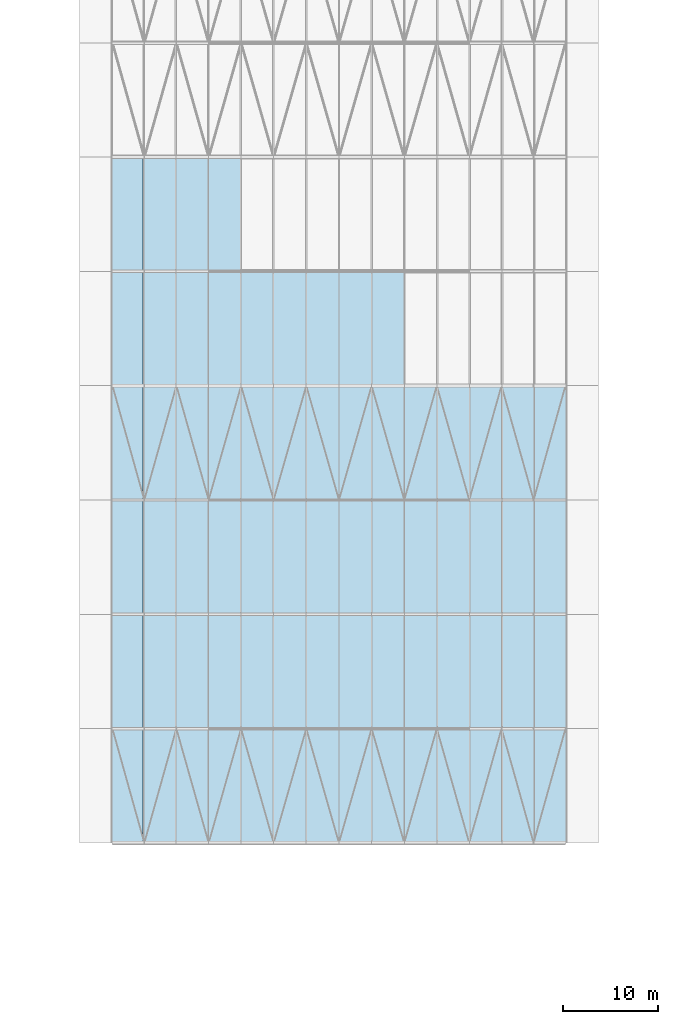
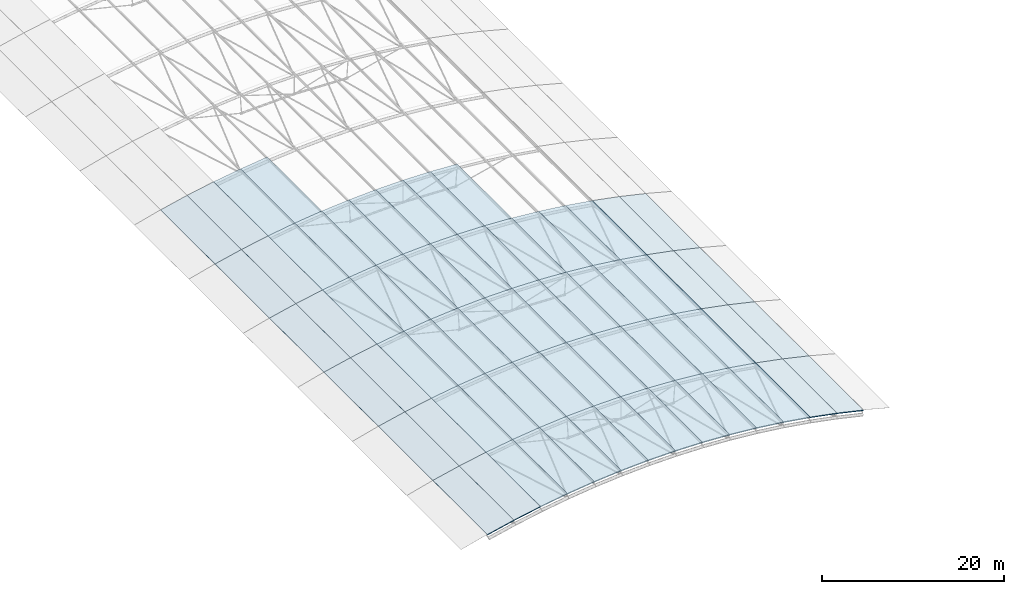
# One storey, part 49 of 91: 69 slabs.
"""IFC4 building model written with IfcOpenShell, lengths in metres."""

from ifc_helpers import new_model, si_unit, direction, frame, origin, place, context, subcontext, project, spatial, polyline, outline, extrude, material, layer, layer_set, type_object, element, save


model = new_model("IFC4")

# Units and contexts
model_context = context("Model", 3, precision=1e-05, world=origin(), true_north=direction((0.0, 1.0)))
body_context = subcontext(model_context, "Body", "Model", "MODEL_VIEW")
ifc_project = project(units=[si_unit("LENGTHUNIT", "METRE"), si_unit("AREAUNIT", "SQUARE_METRE"), si_unit("VOLUMEUNIT", "CUBIC_METRE"), si_unit("PLANEANGLEUNIT", "RADIAN"), si_unit("MASSUNIT", "GRAM", prefix="KILO")], contexts=[model_context])

# Site, building, storey
site_placement = place(None, origin())
site = spatial("IfcSite", under=ifc_project, at=site_placement, CompositionType="ELEMENT")
building_placement = place(site_placement, origin())
building = spatial("IfcBuilding", under=site, at=building_placement, Name="Ravi Spectrum Wholesale Market", CompositionType="ELEMENT")
storey_placement = place(building_placement, frame((0.0, 0.0, 16.199951171875)))
storey = spatial("IfcBuildingStorey", under=building, at=storey_placement, Name="ROOF PLANT LEVEL", CompositionType="ELEMENT", Elevation=16.199951171875)

# Slabs
ifc_material = material(Name="Steel S355", Category="steel")
ifc_layer = layer(ifc_material, 0.1201171875)
ifc_layer_set = layer_set([ifc_layer], Name="Steel S355")
slab_type = type_object("IfcSlabType", Name="Roof panel 120", PredefinedType="ROOF", material=ifc_layer_set)
slab_1_placement = place(storey_placement, frame((46.07958984375, 30.0, 0.691162109375), z_axis=(-0.222349705354, 0.0, 0.974966978174), x_axis=(0.974966978174, 0.0, 0.222349705354)))
element("IfcSlab", 1, at=slab_1_placement, inside=storey, type_object=slab_type, Name="H1-SL-ROOF-001", PredefinedType="ROOF", context=body_context, shape_type="SweptSolid", body=[
    extrude(outline(polyline([(0.0, 0.0), (3.4466311554413664, 0.0), (3.4466311554413664, 12.0), (0.0, 12.0), (0.0, 0.0)])), origin(), (0.0, 0.0, -1.0), 0.1201171875),
])
slab_2_placement = place(storey_placement, frame((49.44384765625, 30.0, 1.458251953125), z_axis=(-0.188631955583, 0.0, 0.982047852873), x_axis=(0.982047852873, 0.0, 0.188631955583)))
element("IfcSlab", 2, at=slab_2_placement, inside=storey, type_object=slab_type, Name="H1-SL-ROOF-002", PredefinedType="ROOF", context=body_context, shape_type="SweptSolid", body=[
    extrude(outline(polyline([(0.0, 0.0), (3.4466402172734556, 0.0), (3.4466402172734556, 12.0), (0.0, 12.0), (0.0, 0.0)])), origin(), (0.0, 0.0, -1.0), 0.1201171875),
])
slab_3_placement = place(storey_placement, frame((52.832763671875, 30.0, 2.109130859375), z_axis=(-0.154627524057, 0.0, 0.98797283809), x_axis=(0.98797283809, 0.0, 0.154627524057)))
element("IfcSlab", 3, at=slab_3_placement, inside=storey, type_object=slab_type, Name="H1-SL-ROOF-003", PredefinedType="ROOF", context=body_context, shape_type="SweptSolid", body=[
    extrude(outline(polyline([(0.0, 0.0), (3.4467277906978815, 0.0), (3.4467277906978815, 12.0), (0.0, 12.0), (0.0, 0.0)])), origin(), (0.0, 0.0, -1.0), 0.1201171875),
])
slab_4_placement = place(storey_placement, frame((56.241943359375, 30.0, 2.642578125), z_axis=(-0.120485786945, 0.0, 0.992715052341), x_axis=(0.992715052341, 0.0, 0.120485786945)))
element("IfcSlab", 4, at=slab_4_placement, inside=storey, type_object=slab_type, Name="H1-SL-ROOF-004", PredefinedType="ROOF", context=body_context, shape_type="SweptSolid", body=[
    extrude(outline(polyline([(0.0, 0.0), (3.446740181189331, 0.0), (3.446740181189331, 12.0), (0.0, 12.0), (0.0, 0.0)])), origin(), (0.0, 0.0, -1.0), 0.1201171875),
])
slab_5_placement = place(storey_placement, frame((59.667724609375, 30.0, 3.05810546875), z_axis=(-0.086134430501, 0.0, 0.996283523844), x_axis=(0.996283523844, 0.0, 0.086134430501)))
element("IfcSlab", 5, at=slab_5_placement, inside=storey, type_object=slab_type, Name="H1-SL-ROOF-005", PredefinedType="ROOF", context=body_context, shape_type="SweptSolid", body=[
    extrude(outline(polyline([(0.0, 0.0), (3.4466472730346154, 0.0), (3.4466472730346154, 12.000000000000004), (0.0, 12.000000000000004), (0.0, 0.0)])), origin(), (0.0, 0.0, -1.0), 0.1201171875),
])
slab_6_placement = place(storey_placement, frame((63.105712890625, 30.0, 3.35546875), z_axis=(-0.051711116626, 0.0, 0.998662085201), x_axis=(0.998662085201, 0.0, 0.051711116626)))
element("IfcSlab", 6, at=slab_6_placement, inside=storey, type_object=slab_type, Name="H1-SL-ROOF-006", PredefinedType="ROOF", context=body_context, shape_type="SweptSolid", body=[
    extrude(outline(polyline([(0.0, 0.0), (3.446505662181547, 0.0), (3.446505662181547, 12.0), (0.0, 12.0), (0.0, 0.0)])), origin(), (0.0, 0.0, -1.0), 0.1201171875),
])
for number, where, z_axis, x_axis, name in (
    (7, (66.5517578125, 30.0, 3.53369140625), (-0.017282768249, 0.0, 0.999850641807), (0.999850641807, 0.0, 0.017282768249), "H1-SL-ROOF-007"),
    (8, (70.001953125, 30.0, 3.59326171875), (0.017282768249, 0.0, 0.999850641807), (0.999850641807, 0.0, -0.017282768249), "H1-SL-ROOF-008"),
):
    element("IfcSlab", number, at=place(storey_placement, frame(where, z_axis=z_axis, x_axis=x_axis)), inside=storey, type_object=slab_type, Name=name, PredefinedType="ROOF", context=body_context, shape_type="SweptSolid", body=[
        extrude(outline(polyline([(0.0, 0.0), (3.446803870898151, 0.0), (3.446803870898151, 12.0), (0.0, 12.0), (0.0, 0.0)])), origin(), (0.0, 0.0, -1.0), 0.1201171875),
    ])
slab_7_placement = place(storey_placement, frame((73.452392578125, 30.0, 3.53369140625), z_axis=(0.051711116626, 0.0, 0.998662085201), x_axis=(0.998662085201, 0.0, -0.051711116626)))
element("IfcSlab", 9, at=slab_7_placement, inside=storey, type_object=slab_type, Name="H1-SL-ROOF-009", PredefinedType="ROOF", context=body_context, shape_type="SweptSolid", body=[
    extrude(outline(polyline([(0.0, 0.0), (3.446505662181547, 0.0), (3.446505662181547, 12.0), (0.0, 12.0), (0.0, 0.0)])), origin(), (0.0, 0.0, -1.0), 0.1201171875),
])
slab_8_placement = place(storey_placement, frame((76.8984375, 30.0, 3.35498046875), z_axis=(0.086134430501, 0.0, 0.996283523844), x_axis=(0.996283523844, 0.0, -0.086134430501)))
element("IfcSlab", 10, at=slab_8_placement, inside=storey, type_object=slab_type, Name="H1-SL-ROOF-010", PredefinedType="ROOF", context=body_context, shape_type="SweptSolid", body=[
    extrude(outline(polyline([(0.0, 0.0), (3.4466472730346154, 0.0), (3.4466472730346154, 12.000000000000004), (0.0, 12.000000000000004), (0.0, 0.0)])), origin(), (0.0, 0.0, -1.0), 0.1201171875),
])
slab_9_placement = place(storey_placement, frame((80.33642578125, 30.0, 3.057861328125), z_axis=(0.120485786945, 0.0, 0.992715052341), x_axis=(0.992715052341, 0.0, -0.120485786945)))
element("IfcSlab", 11, at=slab_9_placement, inside=storey, type_object=slab_type, Name="H1-SL-ROOF-011", PredefinedType="ROOF", context=body_context, shape_type="SweptSolid", body=[
    extrude(outline(polyline([(0.0, 0.0), (3.446740181189331, 0.0), (3.446740181189331, 12.0), (0.0, 12.0), (0.0, 0.0)])), origin(), (0.0, 0.0, -1.0), 0.1201171875),
])
slab_10_placement = place(storey_placement, frame((83.761962890625, 30.0, 2.64208984375), z_axis=(0.154627524057, 0.0, 0.98797283809), x_axis=(0.98797283809, 0.0, -0.154627524057)))
element("IfcSlab", 12, at=slab_10_placement, inside=storey, type_object=slab_type, Name="H1-SL-ROOF-012", PredefinedType="ROOF", context=body_context, shape_type="SweptSolid", body=[
    extrude(outline(polyline([(0.0, 0.0), (3.4467277906978815, 0.0), (3.4467277906978815, 12.0), (0.0, 12.0), (0.0, 0.0)])), origin(), (0.0, 0.0, -1.0), 0.1201171875),
])
slab_11_placement = place(storey_placement, frame((87.17138671875, 30.0, 2.1083984375), z_axis=(0.188631955583, 0.0, 0.982047852873), x_axis=(0.982047852873, 0.0, -0.188631955583)))
element("IfcSlab", 13, at=slab_11_placement, inside=storey, type_object=slab_type, Name="H1-SL-ROOF-013", PredefinedType="ROOF", context=body_context, shape_type="SweptSolid", body=[
    extrude(outline(polyline([(0.0, 0.0), (3.4466402172734556, 0.0), (3.4466402172734556, 12.0), (0.0, 12.0), (0.0, 0.0)])), origin(), (0.0, 0.0, -1.0), 0.1201171875),
])
for number, where, z_axis, x_axis, name in (
    (14, (90.56005859375, 30.0, 1.45751953125), (0.222349705354, 0.0, 0.974966978174), (0.974966978174, 0.0, -0.222349705354), "H1-SL-ROOF-014"),
    (15, (46.07958984375, 42.0, 0.691162109375), (-0.222349705354, 0.0, 0.974966978174), (0.974966978174, 0.0, 0.222349705354), "H1-SL-ROOF-015"),
):
    element("IfcSlab", number, at=place(storey_placement, frame(where, z_axis=z_axis, x_axis=x_axis)), inside=storey, type_object=slab_type, Name=name, PredefinedType="ROOF", context=body_context, shape_type="SweptSolid", body=[
        extrude(outline(polyline([(0.0, 0.0), (3.4466311554413664, 0.0), (3.4466311554413664, 12.0), (0.0, 12.0), (0.0, 0.0)])), origin(), (0.0, 0.0, -1.0), 0.1201171875),
    ])
slab_12_placement = place(storey_placement, frame((49.44384765625, 42.0, 1.458251953125), z_axis=(-0.188631955583, 0.0, 0.982047852873), x_axis=(0.982047852873, 0.0, 0.188631955583)))
element("IfcSlab", 16, at=slab_12_placement, inside=storey, type_object=slab_type, Name="H1-SL-ROOF-016", PredefinedType="ROOF", context=body_context, shape_type="SweptSolid", body=[
    extrude(outline(polyline([(0.0, 0.0), (3.4466402172734556, 0.0), (3.4466402172734556, 12.0), (0.0, 12.0), (0.0, 0.0)])), origin(), (0.0, 0.0, -1.0), 0.1201171875),
])
slab_13_placement = place(storey_placement, frame((52.832763671875, 42.0, 2.109130859375), z_axis=(-0.154627524057, 0.0, 0.98797283809), x_axis=(0.98797283809, 0.0, 0.154627524057)))
element("IfcSlab", 17, at=slab_13_placement, inside=storey, type_object=slab_type, Name="H1-SL-ROOF-017", PredefinedType="ROOF", context=body_context, shape_type="SweptSolid", body=[
    extrude(outline(polyline([(0.0, 0.0), (3.4467277906978815, 0.0), (3.4467277906978815, 12.0), (0.0, 12.0), (0.0, 0.0)])), origin(), (0.0, 0.0, -1.0), 0.1201171875),
])
slab_14_placement = place(storey_placement, frame((56.241943359375, 42.0, 2.642578125), z_axis=(-0.120485786945, 0.0, 0.992715052341), x_axis=(0.992715052341, 0.0, 0.120485786945)))
element("IfcSlab", 18, at=slab_14_placement, inside=storey, type_object=slab_type, Name="H1-SL-ROOF-018", PredefinedType="ROOF", context=body_context, shape_type="SweptSolid", body=[
    extrude(outline(polyline([(0.0, 0.0), (3.446740181189331, 0.0), (3.446740181189331, 12.0), (0.0, 12.0), (0.0, 0.0)])), origin(), (0.0, 0.0, -1.0), 0.1201171875),
])
slab_15_placement = place(storey_placement, frame((59.667724609375, 42.0, 3.05810546875), z_axis=(-0.086134430501, 0.0, 0.996283523844), x_axis=(0.996283523844, 0.0, 0.086134430501)))
element("IfcSlab", 19, at=slab_15_placement, inside=storey, type_object=slab_type, Name="H1-SL-ROOF-019", PredefinedType="ROOF", context=body_context, shape_type="SweptSolid", body=[
    extrude(outline(polyline([(0.0, 0.0), (3.4466472730346154, 0.0), (3.4466472730346154, 12.000000000000004), (0.0, 12.000000000000004), (0.0, 0.0)])), origin(), (0.0, 0.0, -1.0), 0.1201171875),
])
slab_16_placement = place(storey_placement, frame((63.105712890625, 42.0, 3.35546875), z_axis=(-0.051711116626, 0.0, 0.998662085201), x_axis=(0.998662085201, 0.0, 0.051711116626)))
element("IfcSlab", 20, at=slab_16_placement, inside=storey, type_object=slab_type, Name="H1-SL-ROOF-020", PredefinedType="ROOF", context=body_context, shape_type="SweptSolid", body=[
    extrude(outline(polyline([(0.0, 0.0), (3.446505662181547, 0.0), (3.446505662181547, 12.0), (0.0, 12.0), (0.0, 0.0)])), origin(), (0.0, 0.0, -1.0), 0.1201171875),
])
for number, where, z_axis, x_axis, name in (
    (21, (66.5517578125, 42.0, 3.53369140625), (-0.017282768249, 0.0, 0.999850641807), (0.999850641807, 0.0, 0.017282768249), "H1-SL-ROOF-021"),
    (22, (70.001953125, 42.0, 3.59326171875), (0.017282768249, 0.0, 0.999850641807), (0.999850641807, 0.0, -0.017282768249), "H1-SL-ROOF-022"),
):
    element("IfcSlab", number, at=place(storey_placement, frame(where, z_axis=z_axis, x_axis=x_axis)), inside=storey, type_object=slab_type, Name=name, PredefinedType="ROOF", context=body_context, shape_type="SweptSolid", body=[
        extrude(outline(polyline([(0.0, 0.0), (3.446803870898151, 0.0), (3.446803870898151, 12.0), (0.0, 12.0), (0.0, 0.0)])), origin(), (0.0, 0.0, -1.0), 0.1201171875),
    ])
slab_17_placement = place(storey_placement, frame((73.452392578125, 42.0, 3.53369140625), z_axis=(0.051711116626, 0.0, 0.998662085201), x_axis=(0.998662085201, 0.0, -0.051711116626)))
element("IfcSlab", 23, at=slab_17_placement, inside=storey, type_object=slab_type, Name="H1-SL-ROOF-023", PredefinedType="ROOF", context=body_context, shape_type="SweptSolid", body=[
    extrude(outline(polyline([(0.0, 0.0), (3.446505662181547, 0.0), (3.446505662181547, 12.0), (0.0, 12.0), (0.0, 0.0)])), origin(), (0.0, 0.0, -1.0), 0.1201171875),
])
slab_18_placement = place(storey_placement, frame((76.8984375, 42.0, 3.35498046875), z_axis=(0.086134430501, 0.0, 0.996283523844), x_axis=(0.996283523844, 0.0, -0.086134430501)))
element("IfcSlab", 24, at=slab_18_placement, inside=storey, type_object=slab_type, Name="H1-SL-ROOF-024", PredefinedType="ROOF", context=body_context, shape_type="SweptSolid", body=[
    extrude(outline(polyline([(0.0, 0.0), (3.4466472730346154, 0.0), (3.4466472730346154, 12.000000000000004), (0.0, 12.000000000000004), (0.0, 0.0)])), origin(), (0.0, 0.0, -1.0), 0.1201171875),
])
slab_19_placement = place(storey_placement, frame((80.33642578125, 42.0, 3.057861328125), z_axis=(0.120485786945, 0.0, 0.992715052341), x_axis=(0.992715052341, 0.0, -0.120485786945)))
element("IfcSlab", 25, at=slab_19_placement, inside=storey, type_object=slab_type, Name="H1-SL-ROOF-025", PredefinedType="ROOF", context=body_context, shape_type="SweptSolid", body=[
    extrude(outline(polyline([(0.0, 0.0), (3.446740181189331, 0.0), (3.446740181189331, 12.0), (0.0, 12.0), (0.0, 0.0)])), origin(), (0.0, 0.0, -1.0), 0.1201171875),
])
slab_20_placement = place(storey_placement, frame((83.761962890625, 42.0, 2.64208984375), z_axis=(0.154627524057, 0.0, 0.98797283809), x_axis=(0.98797283809, 0.0, -0.154627524057)))
element("IfcSlab", 26, at=slab_20_placement, inside=storey, type_object=slab_type, Name="H1-SL-ROOF-026", PredefinedType="ROOF", context=body_context, shape_type="SweptSolid", body=[
    extrude(outline(polyline([(0.0, 0.0), (3.4467277906978815, 0.0), (3.4467277906978815, 12.0), (0.0, 12.0), (0.0, 0.0)])), origin(), (0.0, 0.0, -1.0), 0.1201171875),
])
slab_21_placement = place(storey_placement, frame((87.17138671875, 42.0, 2.1083984375), z_axis=(0.188631955583, 0.0, 0.982047852873), x_axis=(0.982047852873, 0.0, -0.188631955583)))
element("IfcSlab", 27, at=slab_21_placement, inside=storey, type_object=slab_type, Name="H1-SL-ROOF-027", PredefinedType="ROOF", context=body_context, shape_type="SweptSolid", body=[
    extrude(outline(polyline([(0.0, 0.0), (3.4466402172734556, 0.0), (3.4466402172734556, 12.0), (0.0, 12.0), (0.0, 0.0)])), origin(), (0.0, 0.0, -1.0), 0.1201171875),
])
for number, where, z_axis, x_axis, name in (
    (28, (90.56005859375, 42.0, 1.45751953125), (0.222349705354, 0.0, 0.974966978174), (0.974966978174, 0.0, -0.222349705354), "H1-SL-ROOF-028"),
    (29, (46.07958984375, 54.0, 0.691162109375), (-0.222349705354, 0.0, 0.974966978174), (0.974966978174, 0.0, 0.222349705354), "H1-SL-ROOF-029"),
):
    element("IfcSlab", number, at=place(storey_placement, frame(where, z_axis=z_axis, x_axis=x_axis)), inside=storey, type_object=slab_type, Name=name, PredefinedType="ROOF", context=body_context, shape_type="SweptSolid", body=[
        extrude(outline(polyline([(0.0, 0.0), (3.4466311554413664, 0.0), (3.4466311554413664, 12.0), (0.0, 12.0), (0.0, 0.0)])), origin(), (0.0, 0.0, -1.0), 0.1201171875),
    ])
slab_22_placement = place(storey_placement, frame((49.44384765625, 54.0, 1.458251953125), z_axis=(-0.188631955583, 0.0, 0.982047852873), x_axis=(0.982047852873, 0.0, 0.188631955583)))
element("IfcSlab", 30, at=slab_22_placement, inside=storey, type_object=slab_type, Name="H1-SL-ROOF-030", PredefinedType="ROOF", context=body_context, shape_type="SweptSolid", body=[
    extrude(outline(polyline([(0.0, 0.0), (3.4466402172734556, 0.0), (3.4466402172734556, 12.0), (0.0, 12.0), (0.0, 0.0)])), origin(), (0.0, 0.0, -1.0), 0.1201171875),
])
slab_23_placement = place(storey_placement, frame((52.832763671875, 54.0, 2.109130859375), z_axis=(-0.154627524057, 0.0, 0.98797283809), x_axis=(0.98797283809, 0.0, 0.154627524057)))
element("IfcSlab", 31, at=slab_23_placement, inside=storey, type_object=slab_type, Name="H1-SL-ROOF-031", PredefinedType="ROOF", context=body_context, shape_type="SweptSolid", body=[
    extrude(outline(polyline([(0.0, 0.0), (3.4467277906978815, 0.0), (3.4467277906978815, 12.0), (0.0, 12.0), (0.0, 0.0)])), origin(), (0.0, 0.0, -1.0), 0.1201171875),
])
slab_24_placement = place(storey_placement, frame((56.241943359375, 54.0, 2.642578125), z_axis=(-0.120485786945, 0.0, 0.992715052341), x_axis=(0.992715052341, 0.0, 0.120485786945)))
element("IfcSlab", 32, at=slab_24_placement, inside=storey, type_object=slab_type, Name="H1-SL-ROOF-032", PredefinedType="ROOF", context=body_context, shape_type="SweptSolid", body=[
    extrude(outline(polyline([(0.0, 0.0), (3.446740181189331, 0.0), (3.446740181189331, 12.0), (0.0, 12.0), (0.0, 0.0)])), origin(), (0.0, 0.0, -1.0), 0.1201171875),
])
slab_25_placement = place(storey_placement, frame((59.667724609375, 54.0, 3.05810546875), z_axis=(-0.086134430501, 0.0, 0.996283523844), x_axis=(0.996283523844, 0.0, 0.086134430501)))
element("IfcSlab", 33, at=slab_25_placement, inside=storey, type_object=slab_type, Name="H1-SL-ROOF-033", PredefinedType="ROOF", context=body_context, shape_type="SweptSolid", body=[
    extrude(outline(polyline([(0.0, 0.0), (3.4466472730346154, 0.0), (3.4466472730346154, 12.000000000000004), (0.0, 12.000000000000004), (0.0, 0.0)])), origin(), (0.0, 0.0, -1.0), 0.1201171875),
])
slab_26_placement = place(storey_placement, frame((63.105712890625, 54.0, 3.35546875), z_axis=(-0.051711116626, 0.0, 0.998662085201), x_axis=(0.998662085201, 0.0, 0.051711116626)))
element("IfcSlab", 34, at=slab_26_placement, inside=storey, type_object=slab_type, Name="H1-SL-ROOF-034", PredefinedType="ROOF", context=body_context, shape_type="SweptSolid", body=[
    extrude(outline(polyline([(0.0, 0.0), (3.446505662181547, 0.0), (3.446505662181547, 12.0), (0.0, 12.0), (0.0, 0.0)])), origin(), (0.0, 0.0, -1.0), 0.1201171875),
])
for number, where, z_axis, x_axis, name in (
    (35, (66.5517578125, 54.0, 3.53369140625), (-0.017282768249, 0.0, 0.999850641807), (0.999850641807, 0.0, 0.017282768249), "H1-SL-ROOF-035"),
    (36, (70.001953125, 54.0, 3.59326171875), (0.017282768249, 0.0, 0.999850641807), (0.999850641807, 0.0, -0.017282768249), "H1-SL-ROOF-036"),
):
    element("IfcSlab", number, at=place(storey_placement, frame(where, z_axis=z_axis, x_axis=x_axis)), inside=storey, type_object=slab_type, Name=name, PredefinedType="ROOF", context=body_context, shape_type="SweptSolid", body=[
        extrude(outline(polyline([(0.0, 0.0), (3.446803870898151, 0.0), (3.446803870898151, 12.0), (0.0, 12.0), (0.0, 0.0)])), origin(), (0.0, 0.0, -1.0), 0.1201171875),
    ])
slab_27_placement = place(storey_placement, frame((73.452392578125, 54.0, 3.53369140625), z_axis=(0.051711116626, 0.0, 0.998662085201), x_axis=(0.998662085201, 0.0, -0.051711116626)))
element("IfcSlab", 37, at=slab_27_placement, inside=storey, type_object=slab_type, Name="H1-SL-ROOF-037", PredefinedType="ROOF", context=body_context, shape_type="SweptSolid", body=[
    extrude(outline(polyline([(0.0, 0.0), (3.446505662181547, 0.0), (3.446505662181547, 12.0), (0.0, 12.0), (0.0, 0.0)])), origin(), (0.0, 0.0, -1.0), 0.1201171875),
])
slab_28_placement = place(storey_placement, frame((76.8984375, 54.0, 3.35498046875), z_axis=(0.086134430501, 0.0, 0.996283523844), x_axis=(0.996283523844, 0.0, -0.086134430501)))
element("IfcSlab", 38, at=slab_28_placement, inside=storey, type_object=slab_type, Name="H1-SL-ROOF-038", PredefinedType="ROOF", context=body_context, shape_type="SweptSolid", body=[
    extrude(outline(polyline([(0.0, 0.0), (3.4466472730346154, 0.0), (3.4466472730346154, 12.000000000000004), (0.0, 12.000000000000004), (0.0, 0.0)])), origin(), (0.0, 0.0, -1.0), 0.1201171875),
])
slab_29_placement = place(storey_placement, frame((80.33642578125, 54.0, 3.057861328125), z_axis=(0.120485786945, 0.0, 0.992715052341), x_axis=(0.992715052341, 0.0, -0.120485786945)))
element("IfcSlab", 39, at=slab_29_placement, inside=storey, type_object=slab_type, Name="H1-SL-ROOF-039", PredefinedType="ROOF", context=body_context, shape_type="SweptSolid", body=[
    extrude(outline(polyline([(0.0, 0.0), (3.446740181189331, 0.0), (3.446740181189331, 12.0), (0.0, 12.0), (0.0, 0.0)])), origin(), (0.0, 0.0, -1.0), 0.1201171875),
])
slab_30_placement = place(storey_placement, frame((83.761962890625, 54.0, 2.64208984375), z_axis=(0.154627524057, 0.0, 0.98797283809), x_axis=(0.98797283809, 0.0, -0.154627524057)))
element("IfcSlab", 40, at=slab_30_placement, inside=storey, type_object=slab_type, Name="H1-SL-ROOF-040", PredefinedType="ROOF", context=body_context, shape_type="SweptSolid", body=[
    extrude(outline(polyline([(0.0, 0.0), (3.4467277906978815, 0.0), (3.4467277906978815, 12.0), (0.0, 12.0), (0.0, 0.0)])), origin(), (0.0, 0.0, -1.0), 0.1201171875),
])
slab_31_placement = place(storey_placement, frame((87.17138671875, 54.0, 2.1083984375), z_axis=(0.188631955583, 0.0, 0.982047852873), x_axis=(0.982047852873, 0.0, -0.188631955583)))
element("IfcSlab", 41, at=slab_31_placement, inside=storey, type_object=slab_type, Name="H1-SL-ROOF-041", PredefinedType="ROOF", context=body_context, shape_type="SweptSolid", body=[
    extrude(outline(polyline([(0.0, 0.0), (3.4466402172734556, 0.0), (3.4466402172734556, 12.0), (0.0, 12.0), (0.0, 0.0)])), origin(), (0.0, 0.0, -1.0), 0.1201171875),
])
for number, where, z_axis, x_axis, name in (
    (42, (90.56005859375, 54.0, 1.45751953125), (0.222349705354, 0.0, 0.974966978174), (0.974966978174, 0.0, -0.222349705354), "H1-SL-ROOF-042"),
    (43, (46.07958984375, 66.0, 0.691162109375), (-0.222349705354, 0.0, 0.974966978174), (0.974966978174, 0.0, 0.222349705354), "H1-SL-ROOF-043"),
):
    element("IfcSlab", number, at=place(storey_placement, frame(where, z_axis=z_axis, x_axis=x_axis)), inside=storey, type_object=slab_type, Name=name, PredefinedType="ROOF", context=body_context, shape_type="SweptSolid", body=[
        extrude(outline(polyline([(0.0, 0.0), (3.4466311554413664, 0.0), (3.4466311554413664, 12.0), (0.0, 12.0), (0.0, 0.0)])), origin(), (0.0, 0.0, -1.0), 0.1201171875),
    ])
slab_32_placement = place(storey_placement, frame((49.44384765625, 66.0, 1.458251953125), z_axis=(-0.188631955583, 0.0, 0.982047852873), x_axis=(0.982047852873, 0.0, 0.188631955583)))
element("IfcSlab", 44, at=slab_32_placement, inside=storey, type_object=slab_type, Name="H1-SL-ROOF-044", PredefinedType="ROOF", context=body_context, shape_type="SweptSolid", body=[
    extrude(outline(polyline([(0.0, 0.0), (3.4466402172734556, 0.0), (3.4466402172734556, 12.0), (0.0, 12.0), (0.0, 0.0)])), origin(), (0.0, 0.0, -1.0), 0.1201171875),
])
slab_33_placement = place(storey_placement, frame((52.832763671875, 66.0, 2.109130859375), z_axis=(-0.154627524057, 0.0, 0.98797283809), x_axis=(0.98797283809, 0.0, 0.154627524057)))
element("IfcSlab", 45, at=slab_33_placement, inside=storey, type_object=slab_type, Name="H1-SL-ROOF-045", PredefinedType="ROOF", context=body_context, shape_type="SweptSolid", body=[
    extrude(outline(polyline([(0.0, 0.0), (3.4467277906978815, 0.0), (3.4467277906978815, 12.0), (0.0, 12.0), (0.0, 0.0)])), origin(), (0.0, 0.0, -1.0), 0.1201171875),
])
slab_34_placement = place(storey_placement, frame((56.241943359375, 66.0, 2.642578125), z_axis=(-0.120485786945, 0.0, 0.992715052341), x_axis=(0.992715052341, 0.0, 0.120485786945)))
element("IfcSlab", 46, at=slab_34_placement, inside=storey, type_object=slab_type, Name="H1-SL-ROOF-046", PredefinedType="ROOF", context=body_context, shape_type="SweptSolid", body=[
    extrude(outline(polyline([(0.0, 0.0), (3.446740181189331, 0.0), (3.446740181189331, 12.0), (0.0, 12.0), (0.0, 0.0)])), origin(), (0.0, 0.0, -1.0), 0.1201171875),
])
slab_35_placement = place(storey_placement, frame((59.667724609375, 66.0, 3.05810546875), z_axis=(-0.086134430501, 0.0, 0.996283523844), x_axis=(0.996283523844, 0.0, 0.086134430501)))
element("IfcSlab", 47, at=slab_35_placement, inside=storey, type_object=slab_type, Name="H1-SL-ROOF-047", PredefinedType="ROOF", context=body_context, shape_type="SweptSolid", body=[
    extrude(outline(polyline([(0.0, 0.0), (3.4466472730346154, 0.0), (3.4466472730346154, 12.000000000000004), (0.0, 12.000000000000004), (0.0, 0.0)])), origin(), (0.0, 0.0, -1.0), 0.1201171875),
])
slab_36_placement = place(storey_placement, frame((63.105712890625, 66.0, 3.35546875), z_axis=(-0.051711116626, 0.0, 0.998662085201), x_axis=(0.998662085201, 0.0, 0.051711116626)))
element("IfcSlab", 48, at=slab_36_placement, inside=storey, type_object=slab_type, Name="H1-SL-ROOF-048", PredefinedType="ROOF", context=body_context, shape_type="SweptSolid", body=[
    extrude(outline(polyline([(0.0, 0.0), (3.446505662181547, 0.0), (3.446505662181547, 12.0), (0.0, 12.0), (0.0, 0.0)])), origin(), (0.0, 0.0, -1.0), 0.1201171875),
])
for number, where, z_axis, x_axis, name in (
    (49, (66.5517578125, 66.0, 3.53369140625), (-0.017282768249, 0.0, 0.999850641807), (0.999850641807, 0.0, 0.017282768249), "H1-SL-ROOF-049"),
    (50, (70.001953125, 66.0, 3.59326171875), (0.017282768249, 0.0, 0.999850641807), (0.999850641807, 0.0, -0.017282768249), "H1-SL-ROOF-050"),
):
    element("IfcSlab", number, at=place(storey_placement, frame(where, z_axis=z_axis, x_axis=x_axis)), inside=storey, type_object=slab_type, Name=name, PredefinedType="ROOF", context=body_context, shape_type="SweptSolid", body=[
        extrude(outline(polyline([(0.0, 0.0), (3.446803870898151, 0.0), (3.446803870898151, 12.0), (0.0, 12.0), (0.0, 0.0)])), origin(), (0.0, 0.0, -1.0), 0.1201171875),
    ])
slab_37_placement = place(storey_placement, frame((73.452392578125, 66.0, 3.53369140625), z_axis=(0.051711116626, 0.0, 0.998662085201), x_axis=(0.998662085201, 0.0, -0.051711116626)))
element("IfcSlab", 51, at=slab_37_placement, inside=storey, type_object=slab_type, Name="H1-SL-ROOF-051", PredefinedType="ROOF", context=body_context, shape_type="SweptSolid", body=[
    extrude(outline(polyline([(0.0, 0.0), (3.446505662181547, 0.0), (3.446505662181547, 12.0), (0.0, 12.0), (0.0, 0.0)])), origin(), (0.0, 0.0, -1.0), 0.1201171875),
])
slab_38_placement = place(storey_placement, frame((76.8984375, 66.0, 3.35498046875), z_axis=(0.086134430501, 0.0, 0.996283523844), x_axis=(0.996283523844, 0.0, -0.086134430501)))
element("IfcSlab", 52, at=slab_38_placement, inside=storey, type_object=slab_type, Name="H1-SL-ROOF-052", PredefinedType="ROOF", context=body_context, shape_type="SweptSolid", body=[
    extrude(outline(polyline([(0.0, 0.0), (3.4466472730346154, 0.0), (3.4466472730346154, 12.000000000000004), (0.0, 12.000000000000004), (0.0, 0.0)])), origin(), (0.0, 0.0, -1.0), 0.1201171875),
])
slab_39_placement = place(storey_placement, frame((80.33642578125, 66.0, 3.057861328125), z_axis=(0.120485786945, 0.0, 0.992715052341), x_axis=(0.992715052341, 0.0, -0.120485786945)))
element("IfcSlab", 53, at=slab_39_placement, inside=storey, type_object=slab_type, Name="H1-SL-ROOF-053", PredefinedType="ROOF", context=body_context, shape_type="SweptSolid", body=[
    extrude(outline(polyline([(0.0, 0.0), (3.446740181189331, 0.0), (3.446740181189331, 12.0), (0.0, 12.0), (0.0, 0.0)])), origin(), (0.0, 0.0, -1.0), 0.1201171875),
])
slab_40_placement = place(storey_placement, frame((83.761962890625, 66.0, 2.64208984375), z_axis=(0.154627524057, 0.0, 0.98797283809), x_axis=(0.98797283809, 0.0, -0.154627524057)))
element("IfcSlab", 54, at=slab_40_placement, inside=storey, type_object=slab_type, Name="H1-SL-ROOF-054", PredefinedType="ROOF", context=body_context, shape_type="SweptSolid", body=[
    extrude(outline(polyline([(0.0, 0.0), (3.4467277906978815, 0.0), (3.4467277906978815, 12.0), (0.0, 12.0), (0.0, 0.0)])), origin(), (0.0, 0.0, -1.0), 0.1201171875),
])
slab_41_placement = place(storey_placement, frame((87.17138671875, 66.0, 2.1083984375), z_axis=(0.188631955583, 0.0, 0.982047852873), x_axis=(0.982047852873, 0.0, -0.188631955583)))
element("IfcSlab", 55, at=slab_41_placement, inside=storey, type_object=slab_type, Name="H1-SL-ROOF-055", PredefinedType="ROOF", context=body_context, shape_type="SweptSolid", body=[
    extrude(outline(polyline([(0.0, 0.0), (3.4466402172734556, 0.0), (3.4466402172734556, 12.0), (0.0, 12.0), (0.0, 0.0)])), origin(), (0.0, 0.0, -1.0), 0.1201171875),
])
for number, where, z_axis, x_axis, name in (
    (56, (90.56005859375, 66.0, 1.45751953125), (0.222349705354, 0.0, 0.974966978174), (0.974966978174, 0.0, -0.222349705354), "H1-SL-ROOF-056"),
    (57, (46.07958984375, 78.0, 0.691162109375), (-0.222349705354, 0.0, 0.974966978174), (0.974966978174, 0.0, 0.222349705354), "H1-SL-ROOF-057"),
):
    element("IfcSlab", number, at=place(storey_placement, frame(where, z_axis=z_axis, x_axis=x_axis)), inside=storey, type_object=slab_type, Name=name, PredefinedType="ROOF", context=body_context, shape_type="SweptSolid", body=[
        extrude(outline(polyline([(0.0, 0.0), (3.4466311554413664, 0.0), (3.4466311554413664, 12.0), (0.0, 12.0), (0.0, 0.0)])), origin(), (0.0, 0.0, -1.0), 0.1201171875),
    ])
slab_42_placement = place(storey_placement, frame((49.44384765625, 78.0, 1.458251953125), z_axis=(-0.188631955583, 0.0, 0.982047852873), x_axis=(0.982047852873, 0.0, 0.188631955583)))
element("IfcSlab", 58, at=slab_42_placement, inside=storey, type_object=slab_type, Name="H1-SL-ROOF-058", PredefinedType="ROOF", context=body_context, shape_type="SweptSolid", body=[
    extrude(outline(polyline([(0.0, 0.0), (3.4466402172734556, 0.0), (3.4466402172734556, 12.0), (0.0, 12.0), (0.0, 0.0)])), origin(), (0.0, 0.0, -1.0), 0.1201171875),
])
slab_43_placement = place(storey_placement, frame((52.832763671875, 78.0, 2.109130859375), z_axis=(-0.154627524057, 0.0, 0.98797283809), x_axis=(0.98797283809, 0.0, 0.154627524057)))
element("IfcSlab", 59, at=slab_43_placement, inside=storey, type_object=slab_type, Name="H1-SL-ROOF-059", PredefinedType="ROOF", context=body_context, shape_type="SweptSolid", body=[
    extrude(outline(polyline([(0.0, 0.0), (3.4467277906978815, 0.0), (3.4467277906978815, 12.0), (0.0, 12.0), (0.0, 0.0)])), origin(), (0.0, 0.0, -1.0), 0.1201171875),
])
slab_44_placement = place(storey_placement, frame((56.241943359375, 78.0, 2.642578125), z_axis=(-0.120485786945, 0.0, 0.992715052341), x_axis=(0.992715052341, 0.0, 0.120485786945)))
element("IfcSlab", 60, at=slab_44_placement, inside=storey, type_object=slab_type, Name="H1-SL-ROOF-060", PredefinedType="ROOF", context=body_context, shape_type="SweptSolid", body=[
    extrude(outline(polyline([(0.0, 0.0), (3.446740181189331, 0.0), (3.446740181189331, 12.0), (0.0, 12.0), (0.0, 0.0)])), origin(), (0.0, 0.0, -1.0), 0.1201171875),
])
slab_45_placement = place(storey_placement, frame((59.667724609375, 78.0, 3.05810546875), z_axis=(-0.086134430501, 0.0, 0.996283523844), x_axis=(0.996283523844, 0.0, 0.086134430501)))
element("IfcSlab", 61, at=slab_45_placement, inside=storey, type_object=slab_type, Name="H1-SL-ROOF-061", PredefinedType="ROOF", context=body_context, shape_type="SweptSolid", body=[
    extrude(outline(polyline([(0.0, 0.0), (3.4466472730346154, 0.0), (3.4466472730346154, 12.000000000000004), (0.0, 12.000000000000004), (0.0, 0.0)])), origin(), (0.0, 0.0, -1.0), 0.1201171875),
])
slab_46_placement = place(storey_placement, frame((63.105712890625, 78.0, 3.35546875), z_axis=(-0.051711116626, 0.0, 0.998662085201), x_axis=(0.998662085201, 0.0, 0.051711116626)))
element("IfcSlab", 62, at=slab_46_placement, inside=storey, type_object=slab_type, Name="H1-SL-ROOF-062", PredefinedType="ROOF", context=body_context, shape_type="SweptSolid", body=[
    extrude(outline(polyline([(0.0, 0.0), (3.446505662181547, 0.0), (3.446505662181547, 12.0), (0.0, 12.0), (0.0, 0.0)])), origin(), (0.0, 0.0, -1.0), 0.1201171875),
])
for number, where, z_axis, x_axis, name in (
    (63, (66.5517578125, 78.0, 3.53369140625), (-0.017282768249, 0.0, 0.999850641807), (0.999850641807, 0.0, 0.017282768249), "H1-SL-ROOF-063"),
    (64, (70.001953125, 78.0, 3.59326171875), (0.017282768249, 0.0, 0.999850641807), (0.999850641807, 0.0, -0.017282768249), "H1-SL-ROOF-064"),
):
    element("IfcSlab", number, at=place(storey_placement, frame(where, z_axis=z_axis, x_axis=x_axis)), inside=storey, type_object=slab_type, Name=name, PredefinedType="ROOF", context=body_context, shape_type="SweptSolid", body=[
        extrude(outline(polyline([(0.0, 0.0), (3.446803870898151, 0.0), (3.446803870898151, 12.0), (0.0, 12.0), (0.0, 0.0)])), origin(), (0.0, 0.0, -1.0), 0.1201171875),
    ])
slab_47_placement = place(storey_placement, frame((73.452392578125, 78.0, 3.53369140625), z_axis=(0.051711116626, 0.0, 0.998662085201), x_axis=(0.998662085201, 0.0, -0.051711116626)))
element("IfcSlab", 65, at=slab_47_placement, inside=storey, type_object=slab_type, Name="H1-SL-ROOF-065", PredefinedType="ROOF", context=body_context, shape_type="SweptSolid", body=[
    extrude(outline(polyline([(0.0, 0.0), (3.446505662181547, 0.0), (3.446505662181547, 12.0), (0.0, 12.0), (0.0, 0.0)])), origin(), (0.0, 0.0, -1.0), 0.1201171875),
])
slab_48_placement = place(storey_placement, frame((46.07958984375, 90.0, 0.691162109375), z_axis=(-0.222349705354, 0.0, 0.974966978174), x_axis=(0.974966978174, 0.0, 0.222349705354)))
element("IfcSlab", 66, at=slab_48_placement, inside=storey, type_object=slab_type, Name="H1-SL-ROOF-071", PredefinedType="ROOF", context=body_context, shape_type="SweptSolid", body=[
    extrude(outline(polyline([(0.0, 0.0), (3.4466311554413664, 0.0), (3.4466311554413664, 12.0), (0.0, 12.0), (0.0, 0.0)])), origin(), (0.0, 0.0, -1.0), 0.1201171875),
])
slab_49_placement = place(storey_placement, frame((49.44384765625, 90.0, 1.458251953125), z_axis=(-0.188631955583, 0.0, 0.982047852873), x_axis=(0.982047852873, 0.0, 0.188631955583)))
element("IfcSlab", 67, at=slab_49_placement, inside=storey, type_object=slab_type, Name="H1-SL-ROOF-072", PredefinedType="ROOF", context=body_context, shape_type="SweptSolid", body=[
    extrude(outline(polyline([(0.0, 0.0), (3.4466402172734556, 0.0), (3.4466402172734556, 12.0), (0.0, 12.0), (0.0, 0.0)])), origin(), (0.0, 0.0, -1.0), 0.1201171875),
])
slab_50_placement = place(storey_placement, frame((52.832763671875, 90.0, 2.109130859375), z_axis=(-0.154627524057, 0.0, 0.98797283809), x_axis=(0.98797283809, 0.0, 0.154627524057)))
element("IfcSlab", 68, at=slab_50_placement, inside=storey, type_object=slab_type, Name="H1-SL-ROOF-073", PredefinedType="ROOF", context=body_context, shape_type="SweptSolid", body=[
    extrude(outline(polyline([(0.0, 0.0), (3.4467277906978815, 0.0), (3.4467277906978815, 12.0), (0.0, 12.0), (0.0, 0.0)])), origin(), (0.0, 0.0, -1.0), 0.1201171875),
])
slab_51_placement = place(storey_placement, frame((56.241943359375, 90.0, 2.642578125), z_axis=(-0.120485786945, 0.0, 0.992715052341), x_axis=(0.992715052341, 0.0, 0.120485786945)))
element("IfcSlab", 69, at=slab_51_placement, inside=storey, type_object=slab_type, Name="H1-SL-ROOF-074", PredefinedType="ROOF", context=body_context, shape_type="SweptSolid", body=[
    extrude(outline(polyline([(0.0, 0.0), (3.446740181189331, 0.0), (3.446740181189331, 12.0), (0.0, 12.0), (0.0, 0.0)])), origin(), (0.0, 0.0, -1.0), 0.1201171875),
])

save(model, "model.ifc")
